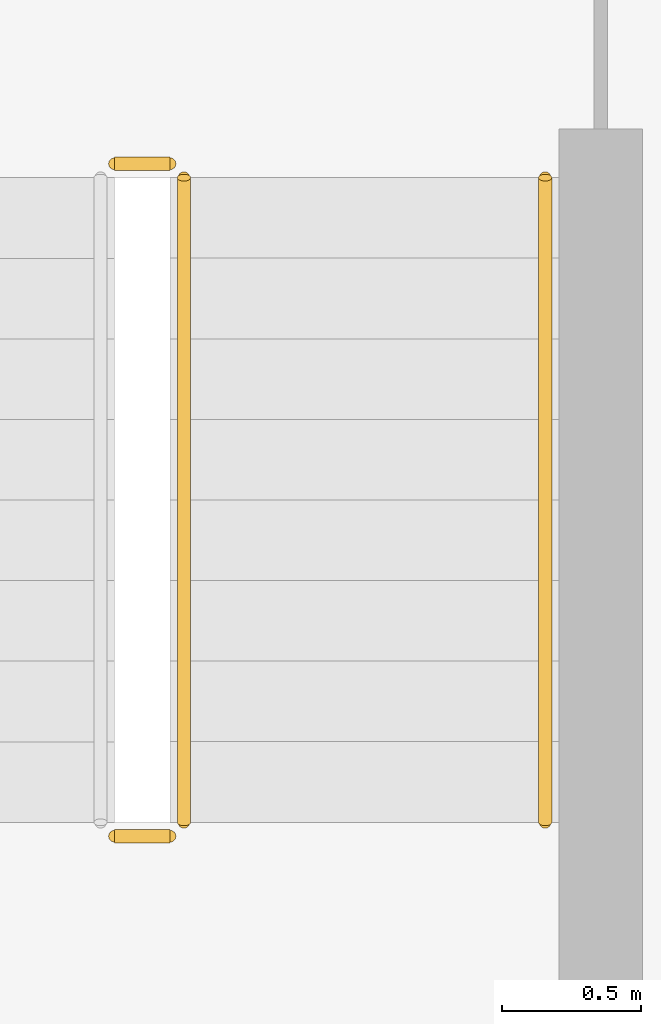
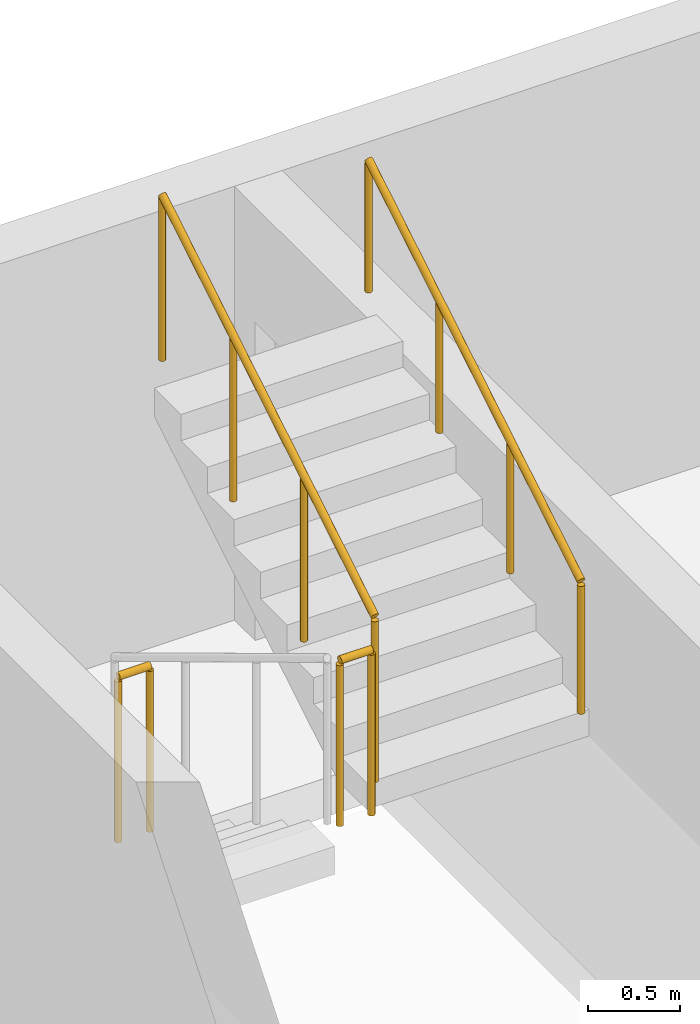
# One storey, part 49 of 56: 4 railings.
"""IFC4 building model written with IfcOpenShell, lengths in metres."""

from ifc_helpers import new_model, si_unit, derived_unit, direction, frame, origin, origin_2d, place, context, subcontext, project, spatial, circle, extrude, material, type_object, element, save


model = new_model("IFC4")

# Units and contexts
model_context = context("Model", 3, precision=1e-05, world=origin(), true_north=direction((0.0, 1.0)))
body_context = subcontext(model_context, "Body", "Model", "MODEL_VIEW")
ifc_project = project(units=[si_unit("LENGTHUNIT", "METRE"), si_unit("AREAUNIT", "SQUARE_METRE"), si_unit("VOLUMEUNIT", "CUBIC_METRE"), si_unit("PLANEANGLEUNIT", "RADIAN"), si_unit("MASSUNIT", "GRAM", prefix="KILO"), derived_unit("THERMALTRANSMITTANCEUNIT", [(si_unit("MASSUNIT", "GRAM", prefix="KILO"), 1), (si_unit("TIMEUNIT", "SECOND"), -3), (si_unit("THERMODYNAMICTEMPERATUREUNIT", "KELVIN"), -1)])], contexts=[model_context])

# Site, building, storey
site_placement = place(None, origin())
site = spatial("IfcSite", under=ifc_project, at=site_placement, CompositionType="ELEMENT")
building_placement = place(site_placement, origin())
building = spatial("IfcBuilding", under=site, at=building_placement, Name="Ochrekiln Boulevard Commons", CompositionType="ELEMENT")
storey_placement = place(building_placement, frame((0.0, 0.0, 12.074951171875)))
storey = spatial("IfcBuildingStorey", under=building, at=storey_placement, Name="L03", CompositionType="ELEMENT", Elevation=12.074951171875)

# Railings
ifc_material = material(Name="Brushed stainless steel 316 tubular railing", Category="steel")
railing_type_1 = type_object("IfcRailingType", Name="RLG-HDR-900", PredefinedType="HANDRAIL", material=ifc_material)
railing_1_placement = place(storey_placement, frame((9.35009765625, 114.610107421875, 1.75)))
element("IfcRailing", 1, at=railing_1_placement, inside=storey, type_object=railing_type_1, Name="L03 ST-A2 stair handrail 2", PredefinedType="HANDRAIL", context=body_context, shape_type="SweptSolid", body=[
    extrude(circle(Radius=0.02392578125, at=origin_2d()), frame((0.0, 0.0, 0.8759765625), z_axis=(0.0, 0.856146426353, 0.516733293531), x_axis=(-1.0, 0.0, 0.0)), (0.0, 0.0, 1.0), 2.709716796875),
    extrude(circle(Radius=0.02099609375, at=origin_2d()), origin(), (0.0, 0.0, 1.0), 0.851806640625),
    extrude(circle(Radius=0.02099609375, at=origin_2d()), frame((0.0, 0.773193359375, 0.466796875)), (0.0, 0.0, 1.0), 0.851806640625),
    extrude(circle(Radius=0.02099609375, at=origin_2d()), frame((0.0, 1.546630859375, 0.933349609375)), (0.0, 0.0, 1.0), 0.851806640625),
    extrude(circle(Radius=0.02099609375, at=origin_2d()), frame((0.0, 2.31982421875, 1.400146484375)), (0.0, 0.0, 1.0), 0.851806640625),
])
railing_type_2 = type_object("IfcRailingType", Name="RLG-STR-1120", PredefinedType="BALUSTRADE", material=ifc_material)
railing_2_placement = place(storey_placement, frame((7.800048828125, 114.56005859375, 1.574951171875)))
element("IfcRailing", 2, at=railing_2_placement, inside=storey, type_object=railing_type_2, Name="L03 ST-A2 stair guard 2", PredefinedType="BALUSTRADE", context=body_context, shape_type="SweptSolid", body=[
    extrude(circle(Radius=0.02392578125, at=origin_2d()), frame((0.0, 0.0, 1.09619140625), z_axis=(1.0, 0.0, 0.0), x_axis=(0.0, 1.0, 0.0)), (0.0, 0.0, 1.0), 0.199951171875),
    extrude(circle(Radius=0.02099609375, at=origin_2d()), origin(), (0.0, 0.0, 1.0), 1.072021484375),
    extrude(circle(Radius=0.02099609375, at=origin_2d()), frame((0.199951171875, 0.0, 0.0)), (0.0, 0.0, 1.0), 1.072021484375),
])
railing_3_placement = place(storey_placement, frame((8.050048828125, 114.610107421875, 1.75)))
element("IfcRailing", 3, at=railing_3_placement, inside=storey, type_object=railing_type_2, Name="L03 ST-A2 stair guard 3", PredefinedType="BALUSTRADE", context=body_context, shape_type="SweptSolid", body=[
    extrude(circle(Radius=0.02392578125, at=origin_2d()), frame((0.0, 0.0, 1.09619140625), z_axis=(0.0, 0.856146426353, 0.516733293531), x_axis=(-1.0, 0.0, 0.0)), (0.0, 0.0, 1.0), 2.709716796875),
    extrude(circle(Radius=0.02099609375, at=origin_2d()), origin(), (0.0, 0.0, 1.0), 1.072021484375),
    extrude(circle(Radius=0.02099609375, at=origin_2d()), frame((0.0, 0.773193359375, 0.466796875)), (0.0, 0.0, 1.0), 1.072021484375),
    extrude(circle(Radius=0.02099609375, at=origin_2d()), frame((0.0, 1.546630859375, 0.933349609375)), (0.0, 0.0, 1.0), 1.072021484375),
    extrude(circle(Radius=0.02099609375, at=origin_2d()), frame((0.0, 2.31982421875, 1.400146484375)), (0.0, 0.0, 1.0), 1.072021484375),
])
railing_4_placement = place(storey_placement, frame((7.800048828125, 116.97998046875, 0.0)))
element("IfcRailing", 4, at=railing_4_placement, inside=storey, type_object=railing_type_2, Name="L03 ST-A2 stair guard 4", PredefinedType="BALUSTRADE", context=body_context, shape_type="SweptSolid", body=[
    extrude(circle(Radius=0.02392578125, at=origin_2d()), frame((0.0, 0.0, 1.09619140625), z_axis=(1.0, 0.0, 0.0), x_axis=(0.0, 1.0, 0.0)), (0.0, 0.0, 1.0), 0.199951171875),
    extrude(circle(Radius=0.02099609375, at=origin_2d()), origin(), (0.0, 0.0, 1.0), 1.072021484375),
    extrude(circle(Radius=0.02099609375, at=origin_2d()), frame((0.199951171875, 0.0, 0.0)), (0.0, 0.0, 1.0), 1.072021484375),
])

save(model, "model.ifc")
